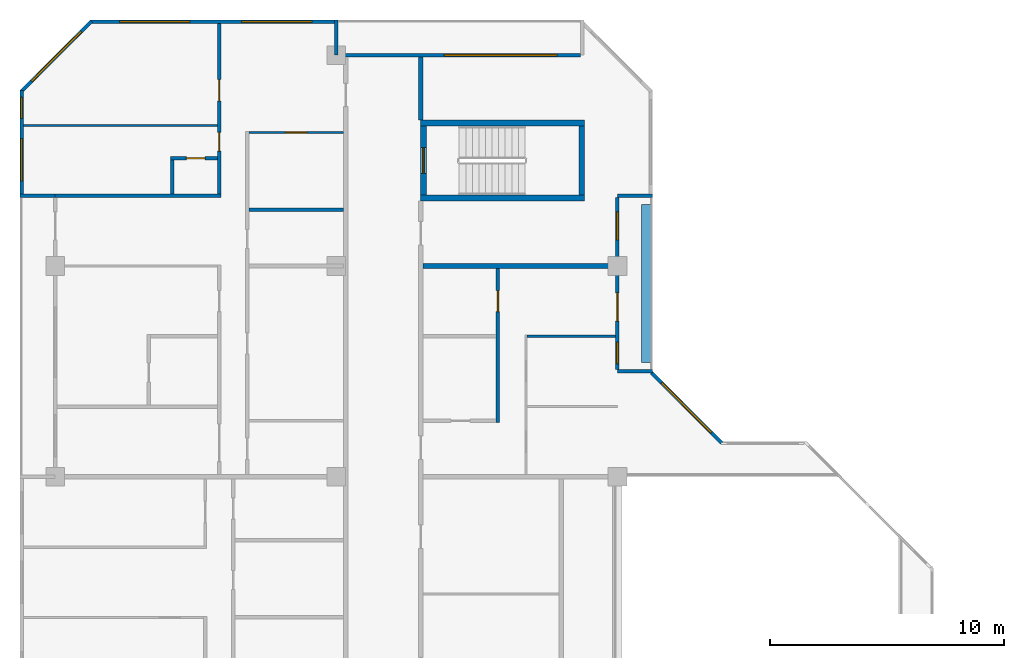
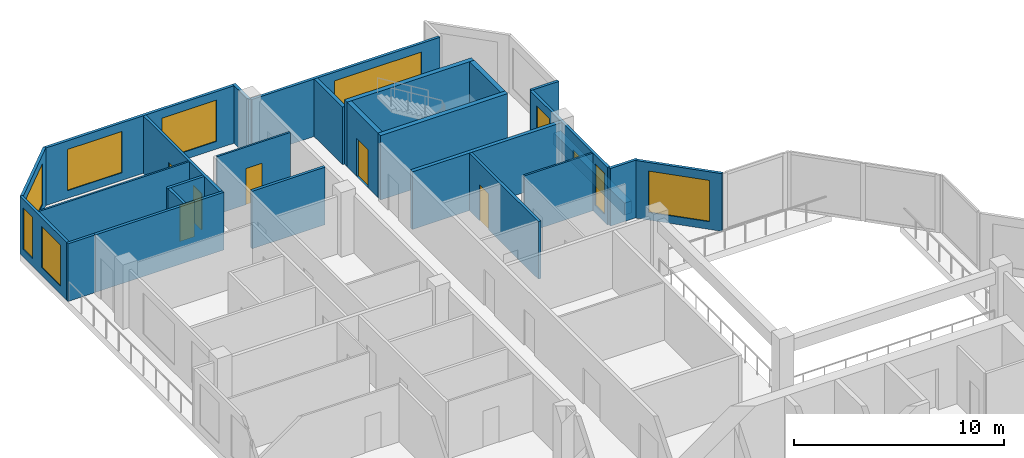
# One storey, part 10 of 13: 26 walls, 9 windows, 7 doors, 16 openings.
"""IFC4 building model written with IfcOpenShell, lengths in metres."""

from ifc_helpers import new_model, si_unit, direction, frame, frame_2d, origin, place, context, subcontext, project, spatial, rectangle, extrude, material, layer, layer_set, type_object, element, fill, save


model = new_model("IFC4")

# Units and contexts
model_context = context("Model", 3, precision=1e-05, world=origin(), true_north=direction((0.0, 1.0)))
body_context = subcontext(model_context, "Body", "Model", "MODEL_VIEW")
ifc_project = project(units=[si_unit("LENGTHUNIT", "METRE"), si_unit("AREAUNIT", "SQUARE_METRE"), si_unit("VOLUMEUNIT", "CUBIC_METRE"), si_unit("PLANEANGLEUNIT", "RADIAN"), si_unit("MASSUNIT", "GRAM", prefix="KILO")], contexts=[model_context])

# Site, building, storey
site_placement = place(None, origin())
site = spatial("IfcSite", under=ifc_project, at=site_placement, CompositionType="ELEMENT")
building_placement = place(site_placement, origin())
building = spatial("IfcBuilding", under=site, at=building_placement, Name="Chenar Terraces", CompositionType="ELEMENT")
storey_placement = place(building_placement, frame((0.0, 0.0, 314.64990234375)))
storey = spatial("IfcBuildingStorey", under=building, at=storey_placement, Name="L74", CompositionType="ELEMENT", Elevation=314.64990234375)

# Walls
ifc_material_1 = material(Name="Concrete C50/60", Category="concrete")
ifc_layer_1 = layer(ifc_material_1, 0.25)
ifc_layer_set_1 = layer_set([ifc_layer_1], Name="Concrete C50/60")
wall_type_1 = type_object("IfcWallType", Name="Core wall 250 Concrete C50/60", PredefinedType="SHEAR", material=ifc_layer_set_1)
for number, where, z_axis, x_axis, name in (
    (1, (15.60009765625, 47.89990234375, 0.0), (0.0, 0.0, 1.0), (1.0, 0.0, 0.0), "Core wall ST4_S L74"),
    (2, (15.60009765625, 51.10009765625, 0.0), (0.0, 0.0, 1.0), (1.0, 0.0, 0.0), "Core wall ST4_N L74"),
):
    element("IfcWall", number, at=place(storey_placement, frame(where, z_axis=z_axis, x_axis=x_axis)), inside=storey, type_object=wall_type_1, Name=name, PredefinedType="SHEAR", context=body_context, shape_type="SweptSolid", body=[
        extrude(rectangle(XDim=7.0, YDim=0.25, at=frame_2d((3.5, 0.0))), origin(), (0.0, 0.0, 1.0), 3.75),
    ])

# Wall, opening, door
wall_1_placement = place(storey_placement, frame((15.72509765625, 48.02490234375, 0.0), z_axis=(0.0, 0.0, 1.0), x_axis=(0.0, 1.0, 0.0)))
wall_1 = element("IfcWall", 3, at=wall_1_placement, inside=storey, type_object=wall_type_1, Name="Core wall ST4_W L74", PredefinedType="SHEAR", context=body_context, shape_type="SweptSolid", body=[
    extrude(rectangle(XDim=2.9501953125, YDim=0.25, at=frame_2d((1.47509765625, 0.0))), origin(), (0.0, 0.0, 1.0), 3.75),
])
opening_1_placement = place(wall_1_placement, frame((0.925048828125, 0.0, 0.0)))
opening_1 = element("IfcOpeningElement", 4, at=opening_1_placement, cuts=wall_1, Name="Opening DL74-C9", PredefinedType="OPENING", context=body_context, shape_type="SweptSolid", body=[
    extrude(rectangle(XDim=1.10009765625, YDim=2.199951171875, at=frame_2d((0.550048828125, 1.10009765625))), frame((0.0, 0.135009765625, 0.0), z_axis=(0.0, -1.0, 0.0), x_axis=(1.0, 0.0, 0.0)), (0.0, 0.0, 1.0), 0.27001953125),
])
ifc_material_2 = material(Name="Steel-framed fire-resisting door leaf", Category="steel")
door_type_1 = type_object("IfcDoorType", Name="Stair fire door FD60 1100 x 2200", OperationType="SINGLE_SWING_LEFT", PredefinedType="DOOR", material=ifc_material_2)
door_1_placement = place(opening_1_placement, frame((1.10009765625, 0.0, 0.0), z_axis=(0.0, 0.0, 1.0), x_axis=(-1.0, 0.0, 0.0)))
door_1 = element("IfcDoor", 5, at=door_1_placement, inside=storey, type_object=door_type_1, Name="Stair door DL74-C9", OperationType="SINGLE_SWING_RIGHT", OverallHeight=2.199951171875, OverallWidth=1.10009765625, PredefinedType="DOOR", context=body_context, shape_type="SweptSolid", body=[
    extrude(rectangle(XDim=1.10009765625, YDim=2.199951171875, at=frame_2d((0.550048828125, 1.10009765625))), frame((0.0, 0.02490234375, 0.0), z_axis=(0.0, -1.0, 0.0), x_axis=(1.0, 0.0, 0.0)), (0.0, 0.0, 1.0), 0.050048828125),
])
fill(opening_1, door_1)

# Walls
wall_2_placement = place(storey_placement, frame((22.47509765625, 48.02490234375, 0.0), z_axis=(0.0, 0.0, 1.0), x_axis=(0.0, 1.0, 0.0)))
element("IfcWall", 6, at=wall_2_placement, inside=storey, type_object=wall_type_1, Name="Core wall ST4_E L74", PredefinedType="SHEAR", context=body_context, shape_type="SweptSolid", body=[
    extrude(rectangle(XDim=2.9501953125, YDim=0.25, at=frame_2d((1.47509765625, 0.0))), origin(), (0.0, 0.0, 1.0), 3.75),
])
ifc_material_3 = material(Name="Gypsum board on steel studs with fire boards", Category="steel")
ifc_layer_2 = layer(ifc_material_3, 0.199951171875)
ifc_layer_set_2 = layer_set([ifc_layer_2], Name="Gypsum board on steel studs with fire boards")
wall_type_2 = type_object("IfcWallType", Name="Corridor wall 200", PredefinedType="PARTITIONING", material=ifc_layer_set_2)
wall_3_placement = place(storey_placement, frame((15.60009765625, 51.22509765625, 0.0), z_axis=(0.0, 0.0, 1.0), x_axis=(0.0, 1.0, 0.0)))
element("IfcWall", 7, at=wall_3_placement, inside=storey, type_object=wall_type_2, Name="Partition L74-037", PredefinedType="PARTITIONING", context=body_context, shape_type="SweptSolid", body=[
    extrude(rectangle(XDim=2.700927734375, YDim=0.199951171875, at=frame_2d((1.3505859375, 0.0))), origin(), (0.0, 0.0, 1.0), 3.35009765625),
])

# Wall, openings, windows
ifc_material_4 = material(Name="Aluminium framed glazing", Category="aluminium")
ifc_layer_3 = layer(ifc_material_4, 0.14990234375)
ifc_layer_set_3 = layer_set([ifc_layer_3], Name="Aluminium framed glazing")
wall_type_3 = type_object("IfcWallType", Name="Glazed flush facade wall 150", PredefinedType="SOLIDWALL", material=ifc_layer_set_3)
wall_4_placement = place(storey_placement, frame((11.925048828125, 55.425048828125, 0.0), z_axis=(0.0, 0.0, 1.0), x_axis=(-1.0, 0.0, 0.0)))
wall_4 = element("IfcWall", 8, at=wall_4_placement, inside=storey, type_object=wall_type_3, Name="Glazed flush facade wall", PredefinedType="SOLIDWALL", context=body_context, shape_type="SweptSolid", body=[
    extrude(rectangle(XDim=10.425048828125, YDim=0.14990234375, at=frame_2d((5.21240234375, 0.0))), origin(), (0.0, 0.0, 1.0), 3.35009765625),
])
opening_2_placement = place(wall_4_placement, frame((0.96240234375, 0.0, 0.449951171875)))
opening_2 = element("IfcOpeningElement", 9, at=opening_2_placement, cuts=wall_4, Name="Opening W300x240", PredefinedType="OPENING", context=body_context, shape_type="SweptSolid", body=[
    extrude(rectangle(XDim=3.0, YDim=2.39990234375, at=frame_2d((1.5, 1.199951171875))), frame((0.0, 0.0849609375, 0.0), z_axis=(0.0, -1.0, 0.0), x_axis=(1.0, 0.0, 0.0)), (0.0, 0.0, 1.0), 0.169921875),
])
opening_3_placement = place(wall_4_placement, frame((6.175048828125, 0.0, 0.449951171875)))
opening_3 = element("IfcOpeningElement", 10, at=opening_3_placement, cuts=wall_4, Name="Opening W300x240", PredefinedType="OPENING", context=body_context, shape_type="SweptSolid", body=[
    extrude(rectangle(XDim=3.0, YDim=2.39990234375, at=frame_2d((1.5, 1.199951171875))), frame((0.0, 0.0849609375, 0.0), z_axis=(0.0, -1.0, 0.0), x_axis=(1.0, 0.0, 0.0)), (0.0, 0.0, 1.0), 0.169921875),
])
ifc_material_5 = material(Name="Low emissivity double glazing, aluminium frame", Category="aluminium")
window_type_1 = type_object("IfcWindowType", Name="Fixed light 3000 x 2400", PartitioningType="SINGLE_PANEL", PredefinedType="WINDOW", material=ifc_material_5)
window_1_placement = place(opening_2_placement, origin())
window_1 = element("IfcWindow", 11, at=window_1_placement, inside=storey, type_object=window_type_1, Name="Window", OverallHeight=2.39990234375, OverallWidth=3.0, PartitioningType="SINGLE_PANEL", PredefinedType="WINDOW", context=body_context, shape_type="SweptSolid", body=[
    extrude(rectangle(XDim=3.0, YDim=2.39990234375, at=frame_2d((1.5, 1.199951171875))), frame((0.0, 0.030029296875, 0.0), z_axis=(0.0, -1.0, 0.0), x_axis=(1.0, 0.0, 0.0)), (0.0, 0.0, 1.0), 0.06005859375),
])
fill(opening_2, window_1)
window_2_placement = place(opening_3_placement, origin())
window_2 = element("IfcWindow", 12, at=window_2_placement, inside=storey, type_object=window_type_1, Name="Window", OverallHeight=2.39990234375, OverallWidth=3.0, PartitioningType="SINGLE_PANEL", PredefinedType="WINDOW", context=body_context, shape_type="SweptSolid", body=[
    extrude(rectangle(XDim=3.0, YDim=2.39990234375, at=frame_2d((1.5, 1.199951171875))), frame((0.0, 0.030029296875, 0.0), z_axis=(0.0, -1.0, 0.0), x_axis=(1.0, 0.0, 0.0)), (0.0, 0.0, 1.0), 0.06005859375),
])
fill(opening_3, window_2)

wall_5_placement = place(storey_placement, frame((-1.425048828125, 52.5, 0.0), z_axis=(0.0, 0.0, 1.0), x_axis=(0.0, -1.0, 0.0)))
wall_5 = element("IfcWall", 13, at=wall_5_placement, inside=storey, type_object=wall_type_3, Name="Glazed flush facade wall", PredefinedType="SOLIDWALL", context=body_context, shape_type="SweptSolid", body=[
    extrude(rectangle(XDim=4.425048828125, YDim=0.14990234375, at=frame_2d((2.21240234375, 0.0))), origin(), (0.0, 0.0, 1.0), 3.35009765625),
])
opening_4_placement = place(wall_5_placement, frame((0.300048828125, 0.0, 0.449951171875)))
opening_4 = element("IfcOpeningElement", 14, at=opening_4_placement, cuts=wall_5, Name="Opening W90x240", PredefinedType="OPENING", context=body_context, shape_type="SweptSolid", body=[
    extrude(rectangle(XDim=0.89990234375, YDim=2.39990234375, at=frame_2d((0.449951171875, 1.199951171875))), frame((0.0, 0.0849609375, 0.0), z_axis=(0.0, -1.0, 0.0), x_axis=(1.0, 0.0, 0.0)), (0.0, 0.0, 1.0), 0.169921875),
])
opening_5_placement = place(wall_5_placement, frame((2.0625, 0.0, 0.449951171875)))
opening_5 = element("IfcOpeningElement", 15, at=opening_5_placement, cuts=wall_5, Name="Opening W180x240", PredefinedType="OPENING", context=body_context, shape_type="SweptSolid", body=[
    extrude(rectangle(XDim=1.800048828125, YDim=2.39990234375, at=frame_2d((0.89990234375, 1.199951171875))), frame((0.0, 0.0849609375, 0.0), z_axis=(0.0, -1.0, 0.0), x_axis=(1.0, 0.0, 0.0)), (0.0, 0.0, 1.0), 0.169921875),
])
ifc_material_6 = material(Name="Low emissivity double glazing, aluminium frame", Category="aluminium")
window_type_2 = type_object("IfcWindowType", Name="Fixed light 1800 x 2400", PartitioningType="SINGLE_PANEL", PredefinedType="WINDOW", material=ifc_material_6)
window_3_placement = place(opening_5_placement, origin())
window_3 = element("IfcWindow", 16, at=window_3_placement, inside=storey, type_object=window_type_2, Name="Window", OverallHeight=2.39990234375, OverallWidth=1.800048828125, PartitioningType="SINGLE_PANEL", PredefinedType="WINDOW", context=body_context, shape_type="SweptSolid", body=[
    extrude(rectangle(XDim=1.800048828125, YDim=2.39990234375, at=frame_2d((0.89990234375, 1.199951171875))), frame((0.0, 0.030029296875, 0.0), z_axis=(0.0, -1.0, 0.0), x_axis=(1.0, 0.0, 0.0)), (0.0, 0.0, 1.0), 0.06005859375),
])
fill(opening_5, window_3)
ifc_material_7 = material(Name="Low emissivity double glazing, aluminium frame", Category="aluminium")
window_type_3 = type_object("IfcWindowType", Name="Fixed light 900 x 2400", PartitioningType="SINGLE_PANEL", PredefinedType="WINDOW", material=ifc_material_7)
window_4_placement = place(opening_4_placement, origin())
window_4 = element("IfcWindow", 17, at=window_4_placement, inside=storey, type_object=window_type_3, Name="Window", OverallHeight=2.39990234375, OverallWidth=0.89990234375, PartitioningType="SINGLE_PANEL", PredefinedType="WINDOW", context=body_context, shape_type="SweptSolid", body=[
    extrude(rectangle(XDim=0.89990234375, YDim=2.39990234375, at=frame_2d((0.449951171875, 1.199951171875))), frame((0.0, 0.030029296875, 0.0), z_axis=(0.0, -1.0, 0.0), x_axis=(1.0, 0.0, 0.0)), (0.0, 0.0, 1.0), 0.06005859375),
])
fill(opening_4, window_4)

# Wall, openings, windows, door
ifc_material_8 = material(Name="Aluminium framed glazing", Category="aluminium")
ifc_layer_4 = layer(ifc_material_8, 0.14990234375)
ifc_layer_set_4 = layer_set([ifc_layer_4], Name="Aluminium framed glazing")
wall_type_4 = type_object("IfcWallType", Name="Glazed loggia back wall 150", PredefinedType="SOLIDWALL", material=ifc_layer_set_4)
wall_6_placement = place(storey_placement, frame((24.0, 40.574951171875, 0.0), z_axis=(0.0, 0.0, 1.0), x_axis=(0.0, 1.0, 0.0)))
wall_6 = element("IfcWall", 18, at=wall_6_placement, inside=storey, type_object=wall_type_4, Name="Glazed loggia back wall", PredefinedType="SOLIDWALL", context=body_context, shape_type="SweptSolid", body=[
    extrude(rectangle(XDim=7.35009765625, YDim=0.14990234375, at=frame_2d((3.675048828125, 0.0))), origin(), (0.0, 0.0, 1.0), 3.35009765625),
])
opening_6_placement = place(wall_6_placement, frame((0.262451171875, 0.0, 0.449951171875)))
opening_6 = element("IfcOpeningElement", 19, at=opening_6_placement, cuts=wall_6, Name="Opening W90x240", PredefinedType="OPENING", context=body_context, shape_type="SweptSolid", body=[
    extrude(rectangle(XDim=0.89990234375, YDim=2.39990234375, at=frame_2d((0.449951171875, 1.199951171875))), frame((0.0, 0.0849609375, 0.0), z_axis=(0.0, -1.0, 0.0), x_axis=(1.0, 0.0, 0.0)), (0.0, 0.0, 1.0), 0.169921875),
])
opening_7_placement = place(wall_6_placement, frame((2.074951171875, 0.0, 0.0)))
opening_7 = element("IfcOpeningElement", 20, at=opening_7_placement, cuts=wall_6, Name="Opening DL74-G1", PredefinedType="OPENING", context=body_context, shape_type="SweptSolid", body=[
    extrude(rectangle(XDim=1.199951171875, YDim=2.39990234375, at=frame_2d((0.60009765625, 1.199951171875))), frame((0.0, 0.0849609375, 0.0), z_axis=(0.0, -1.0, 0.0), x_axis=(1.0, 0.0, 0.0)), (0.0, 0.0, 1.0), 0.169921875),
])
opening_8_placement = place(wall_6_placement, frame((5.53759765625, 0.0, 0.449951171875)))
opening_8 = element("IfcOpeningElement", 21, at=opening_8_placement, cuts=wall_6, Name="Opening W120x240", PredefinedType="OPENING", context=body_context, shape_type="SweptSolid", body=[
    extrude(rectangle(XDim=1.199951171875, YDim=2.39990234375, at=frame_2d((0.60009765625, 1.199951171875))), frame((0.0, 0.0849609375, 0.0), z_axis=(0.0, -1.0, 0.0), x_axis=(1.0, 0.0, 0.0)), (0.0, 0.0, 1.0), 0.169921875),
])
ifc_material_9 = material(Name="Low emissivity double glazing, aluminium frame", Category="aluminium")
window_type_4 = type_object("IfcWindowType", Name="Fixed light 1200 x 2400", PartitioningType="SINGLE_PANEL", PredefinedType="WINDOW", material=ifc_material_9)
window_5_placement = place(opening_8_placement, origin())
window_5 = element("IfcWindow", 22, at=window_5_placement, inside=storey, type_object=window_type_4, Name="Window", OverallHeight=2.39990234375, OverallWidth=1.199951171875, PartitioningType="SINGLE_PANEL", PredefinedType="WINDOW", context=body_context, shape_type="SweptSolid", body=[
    extrude(rectangle(XDim=1.199951171875, YDim=2.39990234375, at=frame_2d((0.60009765625, 1.199951171875))), frame((0.0, 0.030029296875, 0.0), z_axis=(0.0, -1.0, 0.0), x_axis=(1.0, 0.0, 0.0)), (0.0, 0.0, 1.0), 0.06005859375),
])
fill(opening_8, window_5)
window_6_placement = place(opening_6_placement, origin())
window_6 = element("IfcWindow", 23, at=window_6_placement, inside=storey, type_object=window_type_3, Name="Window", OverallHeight=2.39990234375, OverallWidth=0.89990234375, PartitioningType="SINGLE_PANEL", PredefinedType="WINDOW", context=body_context, shape_type="SweptSolid", body=[
    extrude(rectangle(XDim=0.89990234375, YDim=2.39990234375, at=frame_2d((0.449951171875, 1.199951171875))), frame((0.0, 0.030029296875, 0.0), z_axis=(0.0, -1.0, 0.0), x_axis=(1.0, 0.0, 0.0)), (0.0, 0.0, 1.0), 0.06005859375),
])
fill(opening_6, window_6)
ifc_material_10 = material(Name="Low emissivity double glazing, aluminium frame", Category="aluminium")
door_type_2 = type_object("IfcDoorType", Name="Loggia glazed double door 1200 x 2400", OperationType="DOUBLE_DOOR_SINGLE_SWING", PredefinedType="DOOR", material=ifc_material_10)
door_2_placement = place(opening_7_placement, frame((1.199951171875, 0.0, 0.0), z_axis=(0.0, 0.0, 1.0), x_axis=(-1.0, 0.0, 0.0)))
door_2 = element("IfcDoor", 24, at=door_2_placement, inside=storey, type_object=door_type_2, Name="Loggia glazed door", OperationType="DOUBLE_DOOR_SINGLE_SWING", OverallHeight=2.39990234375, OverallWidth=1.199951171875, PredefinedType="DOOR", context=body_context, shape_type="SweptSolid", body=[
    extrude(rectangle(XDim=1.199951171875, YDim=2.39990234375, at=frame_2d((0.60009765625, 1.199951171875))), frame((0.0, 0.02490234375, 0.0), z_axis=(0.0, -1.0, 0.0), x_axis=(1.0, 0.0, 0.0)), (0.0, 0.0, 1.0), 0.050048828125),
])
fill(opening_7, door_2)

# Wall, opening, window
wall_7_placement = place(storey_placement, frame((22.425048828125, 54.0, 0.0), z_axis=(0.0, 0.0, 1.0), x_axis=(-1.0, 0.0, 0.0)))
wall_7 = element("IfcWall", 25, at=wall_7_placement, inside=storey, type_object=wall_type_4, Name="Glazed loggia back wall", PredefinedType="SOLIDWALL", context=body_context, shape_type="SweptSolid", body=[
    extrude(rectangle(XDim=10.35009765625, YDim=0.14990234375, at=frame_2d((5.175048828125, 0.0))), origin(), (0.0, 0.0, 1.0), 3.35009765625),
])
opening_9_placement = place(wall_7_placement, frame((1.012451171875, 0.0, 0.449951171875)))
opening_9 = element("IfcOpeningElement", 26, at=opening_9_placement, cuts=wall_7, Name="Opening W480x240", PredefinedType="OPENING", context=body_context, shape_type="SweptSolid", body=[
    extrude(rectangle(XDim=4.800048828125, YDim=2.39990234375, at=frame_2d((2.39990234375, 1.199951171875))), frame((0.0, 0.0849609375, 0.0), z_axis=(0.0, -1.0, 0.0), x_axis=(1.0, 0.0, 0.0)), (0.0, 0.0, 1.0), 0.169921875),
])
ifc_material_11 = material(Name="Low emissivity double glazing, aluminium frame", Category="aluminium")
window_type_5 = type_object("IfcWindowType", Name="Fixed light 4800 x 2400", PartitioningType="SINGLE_PANEL", PredefinedType="WINDOW", material=ifc_material_11)
window_7_placement = place(opening_9_placement, origin())
window_7 = element("IfcWindow", 27, at=window_7_placement, inside=storey, type_object=window_type_5, Name="Window", OverallHeight=2.39990234375, OverallWidth=4.800048828125, PartitioningType="SINGLE_PANEL", PredefinedType="WINDOW", context=body_context, shape_type="SweptSolid", body=[
    extrude(rectangle(XDim=4.800048828125, YDim=2.39990234375, at=frame_2d((2.39990234375, 1.199951171875))), frame((0.0, 0.030029296875, 0.0), z_axis=(0.0, -1.0, 0.0), x_axis=(1.0, 0.0, 0.0)), (0.0, 0.0, 1.0), 0.06005859375),
])
fill(opening_9, window_7)

# Wall
ifc_material_12 = material(Name="Gypsum board on steel studs", Category="steel")
ifc_layer_5 = layer(ifc_material_12, 0.10009765625)
ifc_layer_set_5 = layer_set([ifc_layer_5], Name="Gypsum board on steel studs")
wall_type_5 = type_object("IfcWallType", Name="Gypsum partition 100", PredefinedType="PARTITIONING", material=ifc_layer_set_5)
wall_8_placement = place(storey_placement, frame((-1.35107421875, 51.0, 0.0), z_axis=(0.0, 0.0, 1.0), x_axis=(1.0, 0.0, 0.0)))
element("IfcWall", 28, at=wall_8_placement, inside=storey, type_object=wall_type_5, Name="Partition L74-001", PredefinedType="PARTITIONING", context=body_context, shape_type="SweptSolid", body=[
    extrude(rectangle(XDim=8.276123046875, YDim=0.10009765625, at=frame_2d((4.13818359375, 0.0))), origin(), (0.0, 0.0, 1.0), 3.35009765625),
])

# Wall, opening, door
wall_9_placement = place(storey_placement, frame((8.27490234375, 50.699951171875, 0.0), z_axis=(0.0, 0.0, 1.0), x_axis=(1.0, 0.0, 0.0)))
wall_9 = element("IfcWall", 29, at=wall_9_placement, inside=storey, type_object=wall_type_5, Name="Partition L74-029", PredefinedType="PARTITIONING", context=body_context, shape_type="SweptSolid", body=[
    extrude(rectangle(XDim=4.025146484375, YDim=0.10009765625, at=frame_2d((2.0126953125, 0.0))), origin(), (0.0, 0.0, 1.0), 3.35009765625),
])
opening_10_placement = place(wall_9_placement, frame((1.574951171875, 0.0, 0.0)))
opening_10 = element("IfcOpeningElement", 30, at=opening_10_placement, cuts=wall_9, Name="Opening DL74-28", PredefinedType="OPENING", context=body_context, shape_type="SweptSolid", body=[
    extrude(rectangle(XDim=0.89990234375, YDim=2.10009765625, at=frame_2d((0.449951171875, 1.050048828125))), frame((0.0, 0.06005859375, 0.0), z_axis=(0.0, -1.0, 0.0), x_axis=(1.0, 0.0, 0.0)), (0.0, 0.0, 1.0), 0.1201171875),
])
ifc_material_13 = material(Name="Veneered timber door leaf", Category="wood")
door_type_3 = type_object("IfcDoorType", Name="Door 900 x 2100", OperationType="SINGLE_SWING_LEFT", PredefinedType="DOOR", material=ifc_material_13)
door_3_placement = place(opening_10_placement, frame((0.89990234375, 0.0, 0.0), z_axis=(0.0, 0.0, 1.0), x_axis=(-1.0, 0.0, 0.0)))
door_3 = element("IfcDoor", 31, at=door_3_placement, inside=storey, type_object=door_type_3, Name="Door DL74-28", OperationType="SINGLE_SWING_LEFT", OverallHeight=2.10009765625, OverallWidth=0.89990234375, PredefinedType="DOOR", context=body_context, shape_type="SweptSolid", body=[
    extrude(rectangle(XDim=0.89990234375, YDim=2.10009765625, at=frame_2d((0.449951171875, 1.050048828125))), frame((0.0, 0.02490234375, 0.0), z_axis=(0.0, -1.0, 0.0), x_axis=(1.0, 0.0, 0.0)), (0.0, 0.0, 1.0), 0.050048828125),
])
fill(opening_10, door_3)

# Walls
wall_10_placement = place(storey_placement, frame((20.14990234375, 42.0, 0.0), z_axis=(0.0, 0.0, 1.0), x_axis=(1.0, 0.0, 0.0)))
element("IfcWall", 32, at=wall_10_placement, inside=storey, type_object=wall_type_5, Name="Partition L74-049", PredefinedType="PARTITIONING", context=body_context, shape_type="SweptSolid", body=[
    extrude(rectangle(XDim=3.776123046875, YDim=0.10009765625, at=frame_2d((1.88818359375, 0.0))), origin(), (0.0, 0.0, 1.0), 3.35009765625),
])
ifc_material_14 = material(Name="Terracotta cladding on insulated backing", Category="masonry")
ifc_layer_6 = layer(ifc_material_14, 0.14990234375)
ifc_layer_set_6 = layer_set([ifc_layer_6], Name="Terracotta cladding on insulated backing")
wall_type_6 = type_object("IfcWallType", Name="Loggia return wall 150", PredefinedType="SOLIDWALL", material=ifc_layer_set_6)
for number, where, z_axis, x_axis, name in (
    (33, (25.5, 40.5, 0.0), (0.0, 0.0, 1.0), (-1.0, 0.0, 0.0), "Loggia return wall"),
    (34, (25.5, 48.0, 0.0), (0.0, 0.0, 1.0), (-1.0, 0.0, 0.0), "Loggia return wall"),
    (35, (12.0, 55.5, 0.0), (0.0, 0.0, 1.0), (0.0, -1.0, 0.0), "Loggia return wall"),
    (36, (-1.5, 48.0, 0.0), (0.0, 0.0, 1.0), (1.0, 0.0, 0.0), "Loggia return wall"),
):
    element("IfcWall", number, at=place(storey_placement, frame(where, z_axis=z_axis, x_axis=x_axis)), inside=storey, type_object=wall_type_6, Name=name, PredefinedType="SOLIDWALL", context=body_context, shape_type="SweptSolid", body=[
        extrude(rectangle(XDim=1.5, YDim=0.14990234375, at=frame_2d((0.75, 0.0))), origin(), (0.0, 0.0, 1.0), 3.35009765625),
    ])

# Wall, opening, window
ifc_material_15 = material(Name="Terracotta cladding on insulated backing", Category="masonry")
ifc_layer_7 = layer(ifc_material_15, 0.14990234375)
ifc_layer_set_7 = layer_set([ifc_layer_7], Name="Terracotta cladding on insulated backing")
wall_type_7 = type_object("IfcWallType", Name="Terracotta rainscreen wall 150", PredefinedType="SOLIDWALL", material=ifc_layer_set_7)
wall_11_placement = place(storey_placement, frame((28.447021484375, 37.447021484375, 0.0), z_axis=(0.0, 0.0, 1.0), x_axis=(-0.707106781187, 0.707106781187, 0.0)))
wall_11 = element("IfcWall", 37, at=wall_11_placement, inside=storey, type_object=wall_type_7, Name="Terracotta rainscreen wall", PredefinedType="SOLIDWALL", context=body_context, shape_type="SweptSolid", body=[
    extrude(rectangle(XDim=4.24267578125, YDim=0.14990234375, at=frame_2d((2.121337890625, 0.0))), origin(), (0.0, 0.0, 1.0), 3.35009765625),
])
opening_11_placement = place(wall_11_placement, frame((0.621337890625, 0.0, 0.449951171875)))
opening_11 = element("IfcOpeningElement", 38, at=opening_11_placement, cuts=wall_11, Name="Opening W300x240", PredefinedType="OPENING", context=body_context, shape_type="SweptSolid", body=[
    extrude(rectangle(XDim=3.0, YDim=2.39990234375, at=frame_2d((1.5, 1.199951171875))), frame((0.0, 0.0849609375, 0.0), z_axis=(0.0, -1.0, 0.0), x_axis=(1.0, 0.0, 0.0)), (0.0, 0.0, 1.0), 0.169921875),
])
window_8_placement = place(opening_11_placement, origin())
window_8 = element("IfcWindow", 39, at=window_8_placement, inside=storey, type_object=window_type_1, Name="Window", OverallHeight=2.39990234375, OverallWidth=3.0, PartitioningType="SINGLE_PANEL", PredefinedType="WINDOW", context=body_context, shape_type="SweptSolid", body=[
    extrude(rectangle(XDim=3.0, YDim=2.39990234375, at=frame_2d((1.5, 1.199951171875))), frame((0.0, 0.030029296875, 0.0), z_axis=(0.0, -1.0, 0.0), x_axis=(1.0, 0.0, 0.0)), (0.0, 0.0, 1.0), 0.06005859375),
])
fill(opening_11, window_8)

wall_12_placement = place(storey_placement, frame((1.552978515625, 55.447021484375, 0.0), z_axis=(0.0, 0.0, 1.0), x_axis=(-0.707106781187, -0.707106781187, 0.0)))
wall_12 = element("IfcWall", 40, at=wall_12_placement, inside=storey, type_object=wall_type_7, Name="Terracotta rainscreen wall", PredefinedType="SOLIDWALL", context=body_context, shape_type="SweptSolid", body=[
    extrude(rectangle(XDim=4.24267578125, YDim=0.14990234375, at=frame_2d((2.121337890625, 0.0))), origin(), (0.0, 0.0, 1.0), 3.35009765625),
])
opening_12_placement = place(wall_12_placement, frame((0.621337890625, 0.0, 0.449951171875)))
opening_12 = element("IfcOpeningElement", 41, at=opening_12_placement, cuts=wall_12, Name="Opening W300x240", PredefinedType="OPENING", context=body_context, shape_type="SweptSolid", body=[
    extrude(rectangle(XDim=3.0, YDim=2.39990234375, at=frame_2d((1.5, 1.199951171875))), frame((0.0, 0.0849609375, 0.0), z_axis=(0.0, -1.0, 0.0), x_axis=(1.0, 0.0, 0.0)), (0.0, 0.0, 1.0), 0.169921875),
])
window_9_placement = place(opening_12_placement, origin())
window_9 = element("IfcWindow", 42, at=window_9_placement, inside=storey, type_object=window_type_1, Name="Window", OverallHeight=2.39990234375, OverallWidth=3.0, PartitioningType="SINGLE_PANEL", PredefinedType="WINDOW", context=body_context, shape_type="SweptSolid", body=[
    extrude(rectangle(XDim=3.0, YDim=2.39990234375, at=frame_2d((1.5, 1.199951171875))), frame((0.0, 0.030029296875, 0.0), z_axis=(0.0, -1.0, 0.0), x_axis=(1.0, 0.0, 0.0)), (0.0, 0.0, 1.0), 0.06005859375),
])
fill(opening_12, window_9)

# Walls
ifc_material_16 = material(Name="Twin gypsum board on steel studs with mineral wool", Category="steel")
ifc_layer_8 = layer(ifc_material_16, 0.199951171875)
ifc_layer_set_8 = layer_set([ifc_layer_8], Name="Twin gypsum board on steel studs with mineral wool")
wall_type_8 = type_object("IfcWallType", Name="Unit demising wall 200", PredefinedType="PARTITIONING", material=ifc_layer_set_8)
wall_13_placement = place(storey_placement, frame((15.699951171875, 45.0, 0.0), z_axis=(0.0, 0.0, 1.0), x_axis=(1.0, 0.0, 0.0)))
element("IfcWall", 43, at=wall_13_placement, inside=storey, type_object=wall_type_8, Name="Partition L74-043", PredefinedType="PARTITIONING", context=body_context, shape_type="SweptSolid", body=[
    extrude(rectangle(XDim=8.22607421875, YDim=0.199951171875, at=frame_2d((4.113037109375, 0.0))), origin(), (0.0, 0.0, 1.0), 3.35009765625),
])
ifc_material_17 = material(Name="GRP planter trough")
ifc_layer_9 = layer(ifc_material_17, 0.39990234375)
ifc_layer_set_9 = layer_set([ifc_layer_9], Name="GRP planter trough")
wall_type_9 = type_object("IfcWallType", Name="Vertical greenery planter 400", PredefinedType="SOLIDWALL", material=ifc_layer_set_9)
wall_14_placement = place(storey_placement, frame((25.22900390625, 40.875, 0.0), z_axis=(0.0, 0.0, 1.0), x_axis=(0.0, 1.0, 0.0)))
element("IfcWall", 44, at=wall_14_placement, inside=storey, type_object=wall_type_9, Name="Vertical greenery planter", PredefinedType="SOLIDWALL", context=body_context, shape_type="SweptSolid", body=[
    extrude(rectangle(XDim=6.75, YDim=0.39990234375, at=frame_2d((3.375, 0.0))), origin(), (0.0, 0.0, 1.0), 0.7001953125),
])
ifc_material_18 = material(Name="Moisture-resistant gypsum board on steel studs", Category="steel")
ifc_layer_10 = layer(ifc_material_18, 0.14990234375)
ifc_layer_set_10 = layer_set([ifc_layer_10], Name="Moisture-resistant gypsum board on steel studs")
wall_type_10 = type_object("IfcWallType", Name="Wet-room partition 150", PredefinedType="PARTITIONING", material=ifc_layer_set_10)
wall_15_placement = place(storey_placement, frame((0.0, 48.0, 0.0), z_axis=(0.0, 0.0, 1.0), x_axis=(1.0, 0.0, 0.0)))
element("IfcWall", 45, at=wall_15_placement, inside=storey, type_object=wall_type_10, Name="Partition L74-005", PredefinedType="PARTITIONING", context=body_context, shape_type="SweptSolid", body=[
    extrude(rectangle(XDim=7.074951171875, YDim=0.14990234375, at=frame_2d((3.53759765625, 0.0))), origin(), (0.0, 0.0, 1.0), 3.35009765625),
])

# Wall, opening, door
wall_16_placement = place(storey_placement, frame((4.925048828125, 49.60009765625, 0.0), z_axis=(0.0, 0.0, 1.0), x_axis=(1.0, 0.0, 0.0)))
wall_16 = element("IfcWall", 46, at=wall_16_placement, inside=storey, type_object=wall_type_10, Name="Partition L74-015", PredefinedType="PARTITIONING", context=body_context, shape_type="SweptSolid", body=[
    extrude(rectangle(XDim=2.0, YDim=0.14990234375, at=frame_2d((1.0, 0.0))), origin(), (0.0, 0.0, 1.0), 3.35009765625),
])
opening_13_placement = place(wall_16_placement, frame((0.675048828125, 0.0, 0.0)))
opening_13 = element("IfcOpeningElement", 47, at=opening_13_placement, cuts=wall_16, Name="Opening DL74-25", PredefinedType="OPENING", context=body_context, shape_type="SweptSolid", body=[
    extrude(rectangle(XDim=0.800048828125, YDim=2.10009765625, at=frame_2d((0.39990234375, 1.050048828125))), frame((0.0, 0.0849609375, 0.0), z_axis=(0.0, -1.0, 0.0), x_axis=(1.0, 0.0, 0.0)), (0.0, 0.0, 1.0), 0.169921875),
])
ifc_material_19 = material(Name="Veneered timber door leaf", Category="wood")
door_type_4 = type_object("IfcDoorType", Name="Door 800 x 2100", OperationType="SINGLE_SWING_LEFT", PredefinedType="DOOR", material=ifc_material_19)
door_4_placement = place(opening_13_placement, frame((0.800048828125, 0.0, 0.0), z_axis=(0.0, 0.0, 1.0), x_axis=(-1.0, 0.0, 0.0)))
door_4 = element("IfcDoor", 48, at=door_4_placement, inside=storey, type_object=door_type_4, Name="Door DL74-25", OperationType="SINGLE_SWING_RIGHT", OverallHeight=2.10009765625, OverallWidth=0.800048828125, PredefinedType="DOOR", context=body_context, shape_type="SweptSolid", body=[
    extrude(rectangle(XDim=0.800048828125, YDim=2.10009765625, at=frame_2d((0.39990234375, 1.050048828125))), frame((0.0, 0.02490234375, 0.0), z_axis=(0.0, -1.0, 0.0), x_axis=(1.0, 0.0, 0.0)), (0.0, 0.0, 1.0), 0.050048828125),
])
fill(opening_13, door_4)

# Wall
wall_17_placement = place(storey_placement, frame((5.0, 48.074951171875, 0.0), z_axis=(0.0, 0.0, 1.0), x_axis=(0.0, 1.0, 0.0)))
element("IfcWall", 49, at=wall_17_placement, inside=storey, type_object=wall_type_10, Name="Partition L74-016", PredefinedType="PARTITIONING", context=body_context, shape_type="SweptSolid", body=[
    extrude(rectangle(XDim=1.449951171875, YDim=0.14990234375, at=frame_2d((0.72509765625, 0.0))), origin(), (0.0, 0.0, 1.0), 3.35009765625),
])

# Wall, openings, doors
wall_18_placement = place(storey_placement, frame((7.0, 48.074951171875, 0.0), z_axis=(0.0, 0.0, 1.0), x_axis=(0.0, 1.0, 0.0)))
wall_18 = element("IfcWall", 50, at=wall_18_placement, inside=storey, type_object=wall_type_10, Name="Partition L74-020", PredefinedType="PARTITIONING", context=body_context, shape_type="SweptSolid", body=[
    extrude(rectangle(XDim=7.275146484375, YDim=0.14990234375, at=frame_2d((3.6376953125, 0.0))), origin(), (0.0, 0.0, 1.0), 3.35009765625),
])
opening_14_placement = place(wall_18_placement, frame((3.97509765625, 0.0, 0.0)))
opening_14 = element("IfcOpeningElement", 51, at=opening_14_placement, cuts=wall_18, Name="Opening DL74-19", PredefinedType="OPENING", context=body_context, shape_type="SweptSolid", body=[
    extrude(rectangle(XDim=0.89990234375, YDim=2.10009765625, at=frame_2d((0.449951171875, 1.050048828125))), frame((0.0, 0.0849609375, 0.0), z_axis=(0.0, -1.0, 0.0), x_axis=(1.0, 0.0, 0.0)), (0.0, 0.0, 1.0), 0.169921875),
])
opening_15_placement = place(wall_18_placement, frame((1.824951171875, 0.0, 0.0)))
opening_15 = element("IfcOpeningElement", 52, at=opening_15_placement, cuts=wall_18, Name="Opening DL74-24", PredefinedType="OPENING", context=body_context, shape_type="SweptSolid", body=[
    extrude(rectangle(XDim=0.800048828125, YDim=2.10009765625, at=frame_2d((0.39990234375, 1.050048828125))), frame((0.0, 0.0849609375, 0.0), z_axis=(0.0, -1.0, 0.0), x_axis=(1.0, 0.0, 0.0)), (0.0, 0.0, 1.0), 0.169921875),
])
door_5_placement = place(opening_15_placement, origin())
door_5 = element("IfcDoor", 53, at=door_5_placement, inside=storey, type_object=door_type_4, Name="Door DL74-24", OperationType="SINGLE_SWING_RIGHT", OverallHeight=2.10009765625, OverallWidth=0.800048828125, PredefinedType="DOOR", context=body_context, shape_type="SweptSolid", body=[
    extrude(rectangle(XDim=0.800048828125, YDim=2.10009765625, at=frame_2d((0.39990234375, 1.050048828125))), frame((0.0, 0.02490234375, 0.0), z_axis=(0.0, -1.0, 0.0), x_axis=(1.0, 0.0, 0.0)), (0.0, 0.0, 1.0), 0.050048828125),
])
fill(opening_15, door_5)
door_6_placement = place(opening_14_placement, origin())
door_6 = element("IfcDoor", 54, at=door_6_placement, inside=storey, type_object=door_type_3, Name="Door DL74-19", OperationType="SINGLE_SWING_LEFT", OverallHeight=2.10009765625, OverallWidth=0.89990234375, PredefinedType="DOOR", context=body_context, shape_type="SweptSolid", body=[
    extrude(rectangle(XDim=0.89990234375, YDim=2.10009765625, at=frame_2d((0.449951171875, 1.050048828125))), frame((0.0, 0.02490234375, 0.0), z_axis=(0.0, -1.0, 0.0), x_axis=(1.0, 0.0, 0.0)), (0.0, 0.0, 1.0), 0.050048828125),
])
fill(opening_14, door_6)

# Wall
wall_19_placement = place(storey_placement, frame((8.27490234375, 47.39990234375, 0.0), z_axis=(0.0, 0.0, 1.0), x_axis=(1.0, 0.0, 0.0)))
element("IfcWall", 55, at=wall_19_placement, inside=storey, type_object=wall_type_10, Name="Partition L74-028", PredefinedType="PARTITIONING", context=body_context, shape_type="SweptSolid", body=[
    extrude(rectangle(XDim=4.025146484375, YDim=0.14990234375, at=frame_2d((2.0126953125, 0.0))), origin(), (0.0, 0.0, 1.0), 3.35009765625),
])

# Wall, opening, door
wall_20_placement = place(storey_placement, frame((18.89990234375, 38.324951171875, 0.0), z_axis=(0.0, 0.0, 1.0), x_axis=(0.0, 1.0, 0.0)))
wall_20 = element("IfcWall", 56, at=wall_20_placement, inside=storey, type_object=wall_type_10, Name="Partition L74-046", PredefinedType="PARTITIONING", context=body_context, shape_type="SweptSolid", body=[
    extrude(rectangle(XDim=6.574951171875, YDim=0.14990234375, at=frame_2d((3.28759765625, 0.0))), origin(), (0.0, 0.0, 1.0), 3.35009765625),
])
opening_16_placement = place(wall_20_placement, frame((4.72509765625, 0.0, 0.0)))
opening_16 = element("IfcOpeningElement", 57, at=opening_16_placement, cuts=wall_20, Name="Opening DL74-16", PredefinedType="OPENING", context=body_context, shape_type="SweptSolid", body=[
    extrude(rectangle(XDim=0.89990234375, YDim=2.10009765625, at=frame_2d((0.449951171875, 1.050048828125))), frame((0.0, 0.0849609375, 0.0), z_axis=(0.0, -1.0, 0.0), x_axis=(1.0, 0.0, 0.0)), (0.0, 0.0, 1.0), 0.169921875),
])
door_7_placement = place(opening_16_placement, origin())
door_7 = element("IfcDoor", 58, at=door_7_placement, inside=storey, type_object=door_type_3, Name="Door DL74-16", OperationType="SINGLE_SWING_LEFT", OverallHeight=2.10009765625, OverallWidth=0.89990234375, PredefinedType="DOOR", context=body_context, shape_type="SweptSolid", body=[
    extrude(rectangle(XDim=0.89990234375, YDim=2.10009765625, at=frame_2d((0.449951171875, 1.050048828125))), frame((0.0, 0.02490234375, 0.0), z_axis=(0.0, -1.0, 0.0), x_axis=(1.0, 0.0, 0.0)), (0.0, 0.0, 1.0), 0.050048828125),
])
fill(opening_16, door_7)

save(model, "model.ifc")
